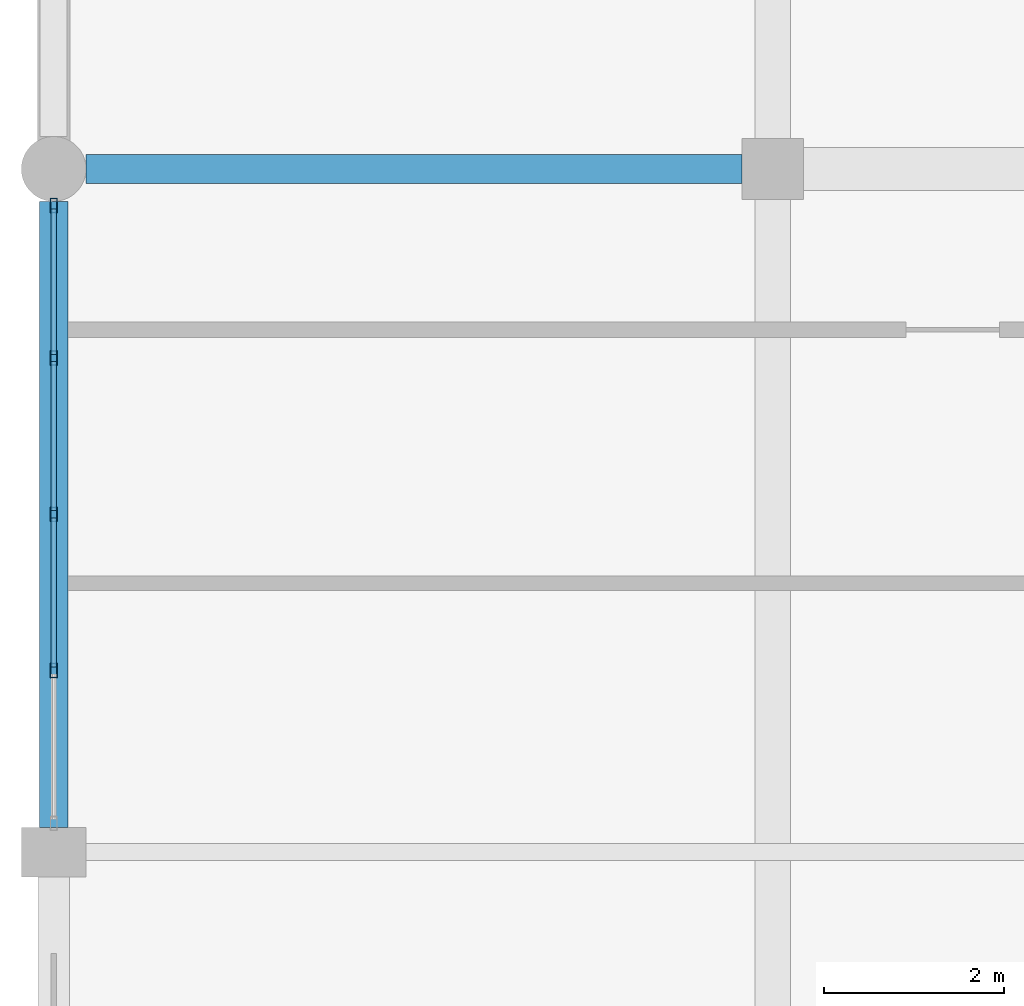
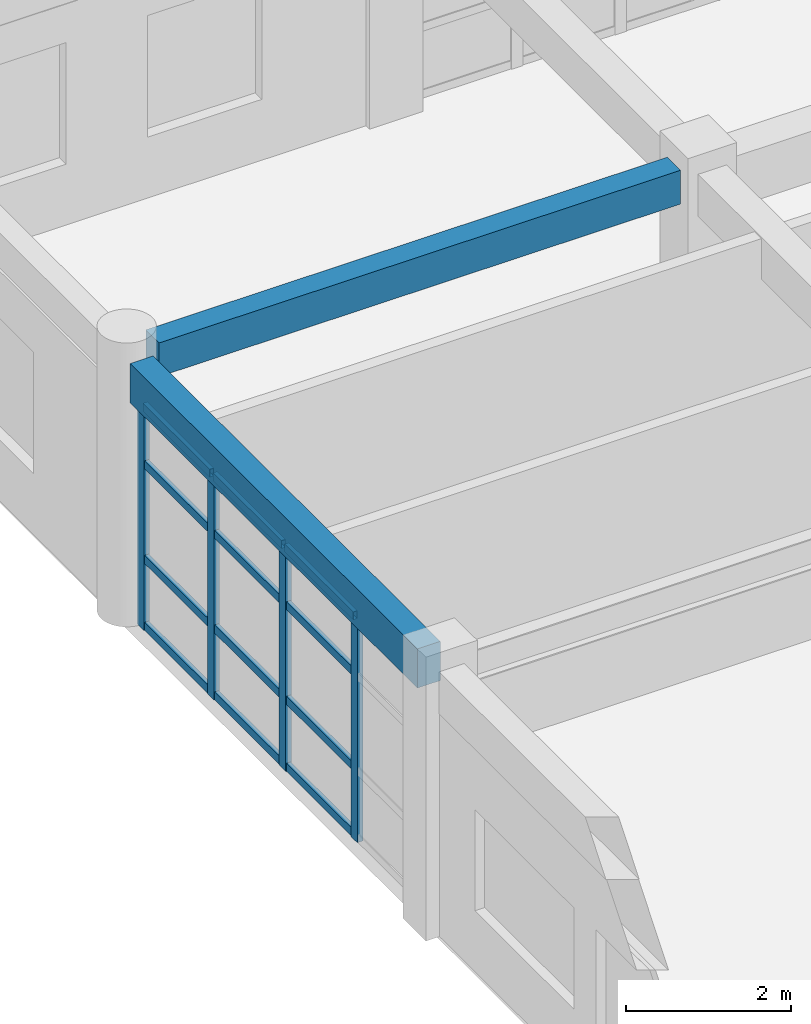
# One storey, part 36 of 195: 16 members, 2 beams, 1 element without a shape of its own.
"""IFC4 building model written with IfcOpenShell, lengths in metres."""

from ifc_helpers import new_model, si_unit, direction, frame, origin, origin_2d, place, context, subcontext, project, spatial, rectangle, hollow_rectangle, extrude, material, material_profile, profile_set, type_object, element, aggregate, save


model = new_model("IFC4")

# Units and contexts
model_context = context("Model", 3, precision=1e-05, world=origin(), true_north=direction((0.0, 1.0)))
body_context = subcontext(model_context, "Body", "Model", "MODEL_VIEW")
ifc_project = project(units=[si_unit("LENGTHUNIT", "METRE"), si_unit("AREAUNIT", "SQUARE_METRE"), si_unit("VOLUMEUNIT", "CUBIC_METRE"), si_unit("PLANEANGLEUNIT", "RADIAN"), si_unit("MASSUNIT", "GRAM", prefix="KILO")], contexts=[model_context])

# Site, building, storey
site_placement = place(None, origin())
site = spatial("IfcSite", under=ifc_project, at=site_placement, CompositionType="ELEMENT")
building_placement = place(site_placement, origin())
building = spatial("IfcBuilding", under=site, at=building_placement, Name="Kharva Crest Polytechnic", CompositionType="ELEMENT")
storey_placement = place(building_placement, frame((0.0, 0.0, 9.0)))
storey = spatial("IfcBuildingStorey", under=building, at=storey_placement, Name="L02", CompositionType="ELEMENT", Elevation=9.0)

# Beam
ifc_material_1 = material(Name="Concrete C35/45", Category="concrete")
ifc_material_profile_1 = material_profile(ifc_material_1, rectangle(XDim=0.320068359375, YDim=0.5, at=origin_2d()), Name="RECT 320 X 500")
ifc_profile_set_1 = profile_set([ifc_material_profile_1], Name="Concrete C35/45")
beam_type_1 = type_object("IfcBeamType", Name="BM-RC-320X500", PredefinedType="BEAM", material=ifc_profile_set_1)
beam_1_placement = place(storey_placement, frame((0.360107421875, 22.800048828125, 3.669921875), z_axis=(1.0, 0.0, 0.0), x_axis=(0.0, 1.0, 0.0)))
element("IfcBeam", 1, at=beam_1_placement, inside=storey, type_object=beam_type_1, Name="L02 Beam D/1-2", PredefinedType="BEAM", context=body_context, shape_type="SweptSolid", body=[
    extrude(rectangle(XDim=0.320068359375, YDim=0.5, at=origin_2d()), origin(), (0.0, 0.0, 1.0), 7.2998046875),
])

# Curtain wall, members
ifc_material_2 = material(Name="Tempered insulated glass", Category="glass")
curtain_wall_type = type_object("IfcCurtainWallType", Name="CW-SYS-COURT", PredefinedType="USERDEFINED", material=ifc_material_2)
curtain_wall_placement = place(storey_placement, origin())
curtain_wall = element("IfcCurtainWall", 2, at=curtain_wall_placement, inside=storey, type_object=curtain_wall_type, Name="L02 Glazed Curtain Wall CW-091", ObjectType="CURTAIN WALL", PredefinedType="USERDEFINED")
ifc_material_3 = material(Name="Steel S355", Category="steel")
ifc_material_profile_2 = material_profile(ifc_material_3, hollow_rectangle(XDim=0.080078125, YDim=0.159912109375, WallThickness=0.0048828125, at=origin_2d()), Name="RHS 160X80X5.0")
ifc_profile_set_2 = profile_set([ifc_material_profile_2], Name="Steel S355")
member_type_1 = type_object("IfcMemberType", Name="CWM-RHS160X80", PredefinedType="MULLION", material=ifc_profile_set_2)
member_1_placement = place(storey_placement, frame((0.0, 22.39501953125, 0.0), z_axis=(0.0, 0.0, 1.0), x_axis=(1.0, 0.0, 0.0)))
member_1 = element("IfcMember", 3, at=member_1_placement, type_object=member_type_1, Name="CW-091 mullion 1", PredefinedType="MULLION", context=body_context, shape_type="SweptSolid", body=[
    extrude(hollow_rectangle(XDim=0.080078125, YDim=0.159912109375, WallThickness=0.0048828125, at=origin_2d()), origin(), (0.0, 0.0, 1.0), 3.340087890625),
])
member_2_placement = place(storey_placement, frame((0.0, 20.6962890625, 0.0), z_axis=(0.0, 0.0, 1.0), x_axis=(1.0, 0.0, 0.0)))
member_2 = element("IfcMember", 4, at=member_2_placement, type_object=member_type_1, Name="CW-091 mullion 2", PredefinedType="MULLION", context=body_context, shape_type="SweptSolid", body=[
    extrude(hollow_rectangle(XDim=0.080078125, YDim=0.159912109375, WallThickness=0.0048828125, at=origin_2d()), origin(), (0.0, 0.0, 1.0), 3.340087890625),
])
member_3_placement = place(storey_placement, frame((0.0, 18.95751953125, 0.0), z_axis=(0.0, 0.0, 1.0), x_axis=(1.0, 0.0, 0.0)))
member_3 = element("IfcMember", 5, at=member_3_placement, type_object=member_type_1, Name="CW-091 mullion 3", PredefinedType="MULLION", context=body_context, shape_type="SweptSolid", body=[
    extrude(hollow_rectangle(XDim=0.080078125, YDim=0.159912109375, WallThickness=0.0048828125, at=origin_2d()), origin(), (0.0, 0.0, 1.0), 3.340087890625),
])
member_4_placement = place(storey_placement, frame((0.0, 17.21875, 0.0), z_axis=(0.0, 0.0, 1.0), x_axis=(1.0, 0.0, 0.0)))
member_4 = element("IfcMember", 6, at=member_4_placement, type_object=member_type_1, Name="CW-091 mullion 4", PredefinedType="MULLION", context=body_context, shape_type="SweptSolid", body=[
    extrude(hollow_rectangle(XDim=0.080078125, YDim=0.159912109375, WallThickness=0.0048828125, at=origin_2d()), origin(), (0.0, 0.0, 1.0), 3.340087890625),
])
ifc_material_profile_3 = material_profile(ifc_material_3, hollow_rectangle(XDim=0.06005859375, YDim=0.1201171875, WallThickness=0.00390625, at=origin_2d()), Name="RHS 120X60X4.0")
ifc_profile_set_3 = profile_set([ifc_material_profile_3], Name="Steel S355")
member_type_2 = type_object("IfcMemberType", Name="CWT-RHS120X60", PredefinedType="USERDEFINED", material=ifc_profile_set_3)
member_5_placement = place(storey_placement, frame((0.0, 22.35498046875, 0.06005859375), z_axis=(0.0, -1.0, 0.0), x_axis=(1.0, 0.0, 0.0)))
member_5 = element("IfcMember", 7, at=member_5_placement, type_object=member_type_2, Name="CW-091 transom 1.1", ObjectType="TRANSOM", PredefinedType="USERDEFINED", context=body_context, shape_type="SweptSolid", body=[
    extrude(hollow_rectangle(XDim=0.06005859375, YDim=0.1201171875, WallThickness=0.00390625, at=origin_2d()), origin(), (0.0, 0.0, 1.0), 1.61865234375),
])
member_6_placement = place(storey_placement, frame((0.0, 22.35498046875, 1.050048828125), z_axis=(0.0, -1.0, 0.0), x_axis=(1.0, 0.0, 0.0)))
member_6 = element("IfcMember", 8, at=member_6_placement, type_object=member_type_2, Name="CW-091 transom 1.2", ObjectType="TRANSOM", PredefinedType="USERDEFINED", context=body_context, shape_type="SweptSolid", body=[
    extrude(hollow_rectangle(XDim=0.06005859375, YDim=0.1201171875, WallThickness=0.00390625, at=origin_2d()), origin(), (0.0, 0.0, 1.0), 1.61865234375),
])
member_7_placement = place(storey_placement, frame((0.0, 22.35498046875, 2.449951171875), z_axis=(0.0, -1.0, 0.0), x_axis=(1.0, 0.0, 0.0)))
member_7 = element("IfcMember", 9, at=member_7_placement, type_object=member_type_2, Name="CW-091 transom 1.3", ObjectType="TRANSOM", PredefinedType="USERDEFINED", context=body_context, shape_type="SweptSolid", body=[
    extrude(hollow_rectangle(XDim=0.06005859375, YDim=0.1201171875, WallThickness=0.00390625, at=origin_2d()), origin(), (0.0, 0.0, 1.0), 1.61865234375),
])
member_8_placement = place(storey_placement, frame((0.0, 22.35498046875, 3.280029296875), z_axis=(0.0, -1.0, 0.0), x_axis=(1.0, 0.0, 0.0)))
member_8 = element("IfcMember", 10, at=member_8_placement, type_object=member_type_2, Name="CW-091 transom 1.4", ObjectType="TRANSOM", PredefinedType="USERDEFINED", context=body_context, shape_type="SweptSolid", body=[
    extrude(hollow_rectangle(XDim=0.06005859375, YDim=0.1201171875, WallThickness=0.00390625, at=origin_2d()), origin(), (0.0, 0.0, 1.0), 1.61865234375),
])
member_9_placement = place(storey_placement, frame((0.0, 20.65625, 0.06005859375), z_axis=(0.0, -1.0, 0.0), x_axis=(1.0, 0.0, 0.0)))
member_9 = element("IfcMember", 11, at=member_9_placement, type_object=member_type_2, Name="CW-091 transom 2.1", ObjectType="TRANSOM", PredefinedType="USERDEFINED", context=body_context, shape_type="SweptSolid", body=[
    extrude(hollow_rectangle(XDim=0.06005859375, YDim=0.1201171875, WallThickness=0.00390625, at=origin_2d()), origin(), (0.0, 0.0, 1.0), 1.65869140625),
])
member_10_placement = place(storey_placement, frame((0.0, 20.65625, 1.050048828125), z_axis=(0.0, -1.0, 0.0), x_axis=(1.0, 0.0, 0.0)))
member_10 = element("IfcMember", 12, at=member_10_placement, type_object=member_type_2, Name="CW-091 transom 2.2", ObjectType="TRANSOM", PredefinedType="USERDEFINED", context=body_context, shape_type="SweptSolid", body=[
    extrude(hollow_rectangle(XDim=0.06005859375, YDim=0.1201171875, WallThickness=0.00390625, at=origin_2d()), origin(), (0.0, 0.0, 1.0), 1.65869140625),
])
member_11_placement = place(storey_placement, frame((0.0, 20.65625, 2.449951171875), z_axis=(0.0, -1.0, 0.0), x_axis=(1.0, 0.0, 0.0)))
member_11 = element("IfcMember", 13, at=member_11_placement, type_object=member_type_2, Name="CW-091 transom 2.3", ObjectType="TRANSOM", PredefinedType="USERDEFINED", context=body_context, shape_type="SweptSolid", body=[
    extrude(hollow_rectangle(XDim=0.06005859375, YDim=0.1201171875, WallThickness=0.00390625, at=origin_2d()), origin(), (0.0, 0.0, 1.0), 1.65869140625),
])
member_12_placement = place(storey_placement, frame((0.0, 20.65625, 3.280029296875), z_axis=(0.0, -1.0, 0.0), x_axis=(1.0, 0.0, 0.0)))
member_12 = element("IfcMember", 14, at=member_12_placement, type_object=member_type_2, Name="CW-091 transom 2.4", ObjectType="TRANSOM", PredefinedType="USERDEFINED", context=body_context, shape_type="SweptSolid", body=[
    extrude(hollow_rectangle(XDim=0.06005859375, YDim=0.1201171875, WallThickness=0.00390625, at=origin_2d()), origin(), (0.0, 0.0, 1.0), 1.65869140625),
])
member_13_placement = place(storey_placement, frame((0.0, 18.91748046875, 0.06005859375), z_axis=(0.0, -1.0, 0.0), x_axis=(1.0, 0.0, 0.0)))
member_13 = element("IfcMember", 15, at=member_13_placement, type_object=member_type_2, Name="CW-091 transom 3.1", ObjectType="TRANSOM", PredefinedType="USERDEFINED", context=body_context, shape_type="SweptSolid", body=[
    extrude(hollow_rectangle(XDim=0.06005859375, YDim=0.1201171875, WallThickness=0.00390625, at=origin_2d()), origin(), (0.0, 0.0, 1.0), 1.65869140625),
])
member_14_placement = place(storey_placement, frame((0.0, 18.91748046875, 1.050048828125), z_axis=(0.0, -1.0, 0.0), x_axis=(1.0, 0.0, 0.0)))
member_14 = element("IfcMember", 16, at=member_14_placement, type_object=member_type_2, Name="CW-091 transom 3.2", ObjectType="TRANSOM", PredefinedType="USERDEFINED", context=body_context, shape_type="SweptSolid", body=[
    extrude(hollow_rectangle(XDim=0.06005859375, YDim=0.1201171875, WallThickness=0.00390625, at=origin_2d()), origin(), (0.0, 0.0, 1.0), 1.65869140625),
])
member_15_placement = place(storey_placement, frame((0.0, 18.91748046875, 2.449951171875), z_axis=(0.0, -1.0, 0.0), x_axis=(1.0, 0.0, 0.0)))
member_15 = element("IfcMember", 17, at=member_15_placement, type_object=member_type_2, Name="CW-091 transom 3.3", ObjectType="TRANSOM", PredefinedType="USERDEFINED", context=body_context, shape_type="SweptSolid", body=[
    extrude(hollow_rectangle(XDim=0.06005859375, YDim=0.1201171875, WallThickness=0.00390625, at=origin_2d()), origin(), (0.0, 0.0, 1.0), 1.65869140625),
])
member_16_placement = place(storey_placement, frame((0.0, 18.91748046875, 3.280029296875), z_axis=(0.0, -1.0, 0.0), x_axis=(1.0, 0.0, 0.0)))
member_16 = element("IfcMember", 18, at=member_16_placement, type_object=member_type_2, Name="CW-091 transom 3.4", ObjectType="TRANSOM", PredefinedType="USERDEFINED", context=body_context, shape_type="SweptSolid", body=[
    extrude(hollow_rectangle(XDim=0.06005859375, YDim=0.1201171875, WallThickness=0.00390625, at=origin_2d()), origin(), (0.0, 0.0, 1.0), 1.65869140625),
])
aggregate(curtain_wall, [member_1, member_2, member_3, member_4, member_5, member_6, member_7, member_8, member_9, member_10, member_11, member_12, member_13, member_14, member_15, member_16])

# Beam
ifc_material_profile_4 = material_profile(ifc_material_1, rectangle(XDim=0.320068359375, YDim=0.580078125, at=origin_2d()), Name="RECT 320 X 580")
ifc_profile_set_4 = profile_set([ifc_material_profile_4], Name="Concrete C35/45")
beam_type_2 = type_object("IfcBeamType", Name="SP-RC-320X580", PredefinedType="SPANDREL", material=ifc_profile_set_4)
beam_2_placement = place(storey_placement, frame((0.0, 15.47509765625, 3.6298828125), z_axis=(0.0, 1.0, 0.0), x_axis=(-1.0, 0.0, 0.0)))
element("IfcBeam", 19, at=beam_2_placement, inside=storey, type_object=beam_type_2, Name="L02 Girder 1/C-D", PredefinedType="SPANDREL", context=body_context, shape_type="SweptSolid", body=[
    extrude(rectangle(XDim=0.320068359375, YDim=0.580078125, at=origin_2d()), origin(), (0.0, 0.0, 1.0), 6.96484375),
])

save(model, "model.ifc")
